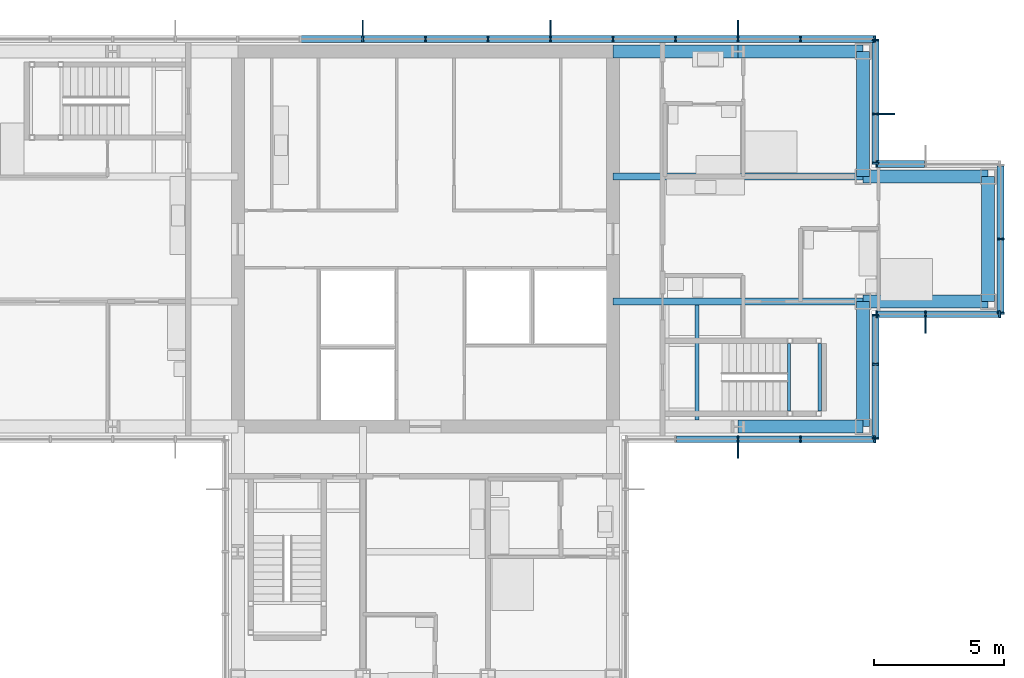
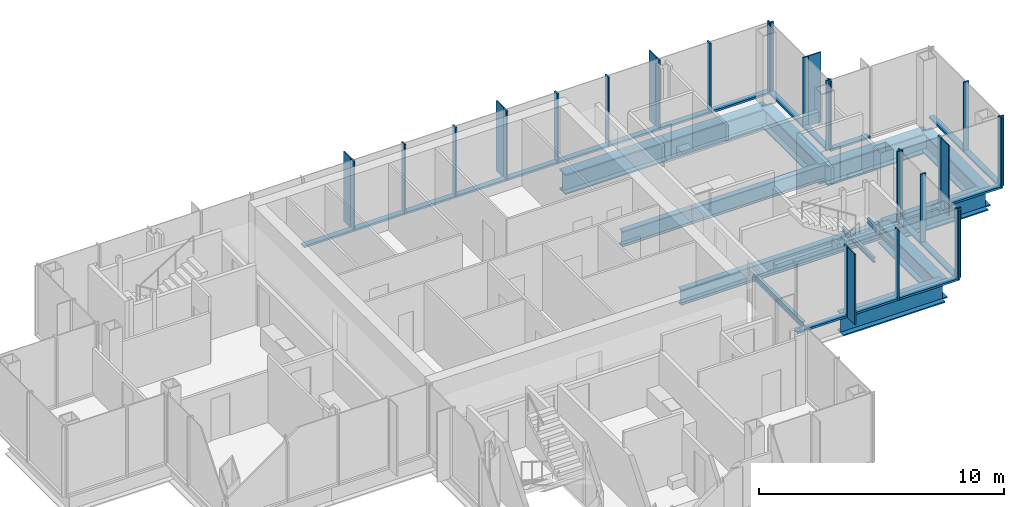
# One storey, part 7 of 15: 51 members, 13 beams, 7 elements without a shape of their own.
"""IFC4 building model written with IfcOpenShell, lengths in metres."""

from ifc_helpers import new_model, si_unit, direction, frame, origin, origin_2d, place, context, subcontext, project, spatial, rectangle, i_section, extrude, material, material_profile, profile_set, type_object, element, aggregate, save


model = new_model("IFC4")

# Units and contexts
model_context = context("Model", 3, precision=1e-05, world=origin(), true_north=direction((0.0, 1.0)))
body_context = subcontext(model_context, "Body", "Model", "MODEL_VIEW")
ifc_project = project(units=[si_unit("LENGTHUNIT", "METRE"), si_unit("AREAUNIT", "SQUARE_METRE"), si_unit("VOLUMEUNIT", "CUBIC_METRE"), si_unit("PLANEANGLEUNIT", "RADIAN"), si_unit("MASSUNIT", "GRAM", prefix="KILO")], contexts=[model_context])

# Site, building, storey
site_placement = place(None, origin())
site = spatial("IfcSite", under=ifc_project, at=site_placement, CompositionType="ELEMENT")
building_placement = place(site_placement, origin())
building = spatial("IfcBuilding", under=site, at=building_placement, Name="Kvirike Care Tower", CompositionType="ELEMENT")
storey_placement = place(building_placement, frame((0.0, 0.0, 222.5)))
storey = spatial("IfcBuildingStorey", under=building, at=storey_placement, Name="L61", CompositionType="ELEMENT", Elevation=222.5)

# Curtain wall, member
ifc_material_1 = material(Name="Anodised aluminium stick system", Category="aluminium")
curtain_wall_type = type_object("IfcCurtainWallType", Name="CW-D STICK CURTAIN WALL", PredefinedType="NOTDEFINED", material=ifc_material_1)
curtain_wall_1_placement = place(storey_placement, origin())
curtain_wall_1 = element("IfcCurtainWall", 1, at=curtain_wall_1_placement, inside=storey, type_object=curtain_wall_type, Name="Curtain wall L61 face 1", PredefinedType="NOTDEFINED")
ifc_material_2 = material(Name="Bronze anodised aluminium fin", Category="aluminium")
ifc_material_profile_1 = material_profile(ifc_material_2, rectangle(XDim=0.050048828125, YDim=0.60009765625, at=origin_2d()), Name="BRONZE FIN 600")
ifc_profile_set_1 = profile_set([ifc_material_profile_1], Name="Bronze anodised aluminium fin")
member_type_1 = type_object("IfcMemberType", Name="BRONZE FIN 600", PredefinedType="USERDEFINED", material=ifc_profile_set_1)
member_1_placement = place(storey_placement, frame((33.60009765625, 27.889892578125, 0.0), z_axis=(0.0, 0.0, 1.0), x_axis=(1.0, 0.0, 0.0)))
member_1 = element("IfcMember", 2, at=member_1_placement, type_object=member_type_1, Name="Bronze fin L61 face 1.3", ObjectType="FIN", PredefinedType="USERDEFINED", context=body_context, shape_type="SweptSolid", body=[
    extrude(rectangle(XDim=0.050048828125, YDim=0.60009765625, at=origin_2d()), origin(), (0.0, 0.0, 1.0), 3.5),
])

curtain_wall_2_placement = place(storey_placement, origin())
curtain_wall_2 = element("IfcCurtainWall", 3, at=curtain_wall_2_placement, inside=storey, type_object=curtain_wall_type, Name="Curtain wall L61 face 3", PredefinedType="NOTDEFINED")
member_2_placement = place(storey_placement, frame((40.800048828125, 32.68994140625, 0.0), z_axis=(0.0, 0.0, 1.0), x_axis=(1.0, 0.0, 0.0)))
member_2 = element("IfcMember", 4, at=member_2_placement, type_object=member_type_1, Name="Bronze fin L61 face 3.2", ObjectType="FIN", PredefinedType="USERDEFINED", context=body_context, shape_type="SweptSolid", body=[
    extrude(rectangle(XDim=0.050048828125, YDim=0.60009765625, at=origin_2d()), origin(), (0.0, 0.0, 1.0), 3.5),
])

curtain_wall_3_placement = place(storey_placement, origin())
curtain_wall_3 = element("IfcCurtainWall", 5, at=curtain_wall_3_placement, inside=storey, type_object=curtain_wall_type, Name="Curtain wall L61 face 6", PredefinedType="NOTDEFINED")
member_3_placement = place(storey_placement, frame((39.31005859375, 40.800048828125, 0.0), z_axis=(0.0, 0.0, 1.0), x_axis=(0.0, 1.0, 0.0)))
member_3 = element("IfcMember", 6, at=member_3_placement, type_object=member_type_1, Name="Bronze fin L61 face 6.2", ObjectType="FIN", PredefinedType="USERDEFINED", context=body_context, shape_type="SweptSolid", body=[
    extrude(rectangle(XDim=0.050048828125, YDim=0.60009765625, at=origin_2d()), origin(), (0.0, 0.0, 1.0), 3.5),
])

# Curtain wall, members
curtain_wall_4_placement = place(storey_placement, origin())
curtain_wall_4 = element("IfcCurtainWall", 7, at=curtain_wall_4_placement, inside=storey, type_object=curtain_wall_type, Name="Curtain wall L61 face 7", PredefinedType="NOTDEFINED")
member_4_placement = place(storey_placement, frame((33.60009765625, 44.110107421875, 0.0), z_axis=(0.0, 0.0, 1.0), x_axis=(-1.0, 0.0, 0.0)))
member_4 = element("IfcMember", 8, at=member_4_placement, type_object=member_type_1, Name="Bronze fin L61 face 7.3", ObjectType="FIN", PredefinedType="USERDEFINED", context=body_context, shape_type="SweptSolid", body=[
    extrude(rectangle(XDim=0.050048828125, YDim=0.60009765625, at=origin_2d()), origin(), (0.0, 0.0, 1.0), 3.5),
])
member_5_placement = place(storey_placement, frame((26.39990234375, 44.110107421875, 0.0), z_axis=(0.0, 0.0, 1.0), x_axis=(-1.0, 0.0, 0.0)))
member_5 = element("IfcMember", 9, at=member_5_placement, type_object=member_type_1, Name="Bronze fin L61 face 7.6", ObjectType="FIN", PredefinedType="USERDEFINED", context=body_context, shape_type="SweptSolid", body=[
    extrude(rectangle(XDim=0.050048828125, YDim=0.60009765625, at=origin_2d()), origin(), (0.0, 0.0, 1.0), 3.5),
])
member_6_placement = place(storey_placement, frame((19.199951171875, 44.110107421875, 0.0), z_axis=(0.0, 0.0, 1.0), x_axis=(-1.0, 0.0, 0.0)))
member_6 = element("IfcMember", 10, at=member_6_placement, type_object=member_type_1, Name="Bronze fin L61 face 7.9", ObjectType="FIN", PredefinedType="USERDEFINED", context=body_context, shape_type="SweptSolid", body=[
    extrude(rectangle(XDim=0.050048828125, YDim=0.60009765625, at=origin_2d()), origin(), (0.0, 0.0, 1.0), 3.5),
])

# Member
ifc_material_3 = material(Name="Bronze anodised aluminium mullion", Category="aluminium")
ifc_material_profile_2 = material_profile(ifc_material_3, rectangle(XDim=0.06494140625, YDim=0.260009765625, at=origin_2d()), Name="CW-D MULLION 65x260")
ifc_profile_set_2 = profile_set([ifc_material_profile_2], Name="Bronze anodised aluminium mullion")
member_type_2 = type_object("IfcMemberType", Name="CW-D MULLION 65x260", PredefinedType="MULLION", material=ifc_profile_set_2)
member_7_placement = place(storey_placement, frame((33.60009765625, 28.320068359375, 0.0), z_axis=(0.0, 0.0, 1.0), x_axis=(1.0, 0.0, 0.0)))
member_7 = element("IfcMember", 11, at=member_7_placement, type_object=member_type_2, Name="CW-D mullion L61 face 1.3", PredefinedType="MULLION", context=body_context, shape_type="SweptSolid", body=[
    extrude(rectangle(XDim=0.06494140625, YDim=0.260009765625, at=origin_2d()), origin(), (0.0, 0.0, 1.0), 3.5),
])

member_8_placement = place(storey_placement, frame((36.0, 28.320068359375, 0.0), z_axis=(0.0, 0.0, 1.0), x_axis=(1.0, 0.0, 0.0)))
member_8 = element("IfcMember", 12, at=member_8_placement, type_object=member_type_2, Name="CW-D mullion L61 face 1.4", PredefinedType="MULLION", context=body_context, shape_type="SweptSolid", body=[
    extrude(rectangle(XDim=0.06494140625, YDim=0.260009765625, at=origin_2d()), origin(), (0.0, 0.0, 1.0), 3.5),
])

member_9_placement = place(storey_placement, frame((38.847412109375, 28.320068359375, 0.0), z_axis=(0.0, 0.0, 1.0), x_axis=(1.0, 0.0, 0.0)))
member_9 = element("IfcMember", 13, at=member_9_placement, type_object=member_type_2, Name="CW-D mullion L61 face 1.5", PredefinedType="MULLION", context=body_context, shape_type="SweptSolid", body=[
    extrude(rectangle(XDim=0.06494140625, YDim=0.260009765625, at=origin_2d()), origin(), (0.0, 0.0, 1.0), 3.5),
])

# Curtain wall, members
curtain_wall_5_placement = place(storey_placement, origin())
curtain_wall_5 = element("IfcCurtainWall", 14, at=curtain_wall_5_placement, inside=storey, type_object=curtain_wall_type, Name="Curtain wall L61 face 2", PredefinedType="NOTDEFINED")
member_10_placement = place(storey_placement, frame((38.8798828125, 28.3525390625, 0.0), z_axis=(0.0, 0.0, 1.0), x_axis=(0.0, 1.0, 0.0)))
member_10 = element("IfcMember", 15, at=member_10_placement, type_object=member_type_2, Name="CW-D mullion L61 face 2.1", PredefinedType="MULLION", context=body_context, shape_type="SweptSolid", body=[
    extrude(rectangle(XDim=0.06494140625, YDim=0.260009765625, at=origin_2d()), origin(), (0.0, 0.0, 1.0), 3.5),
])
member_11_placement = place(storey_placement, frame((38.8798828125, 31.199951171875, 0.0), z_axis=(0.0, 0.0, 1.0), x_axis=(0.0, 1.0, 0.0)))
member_11 = element("IfcMember", 16, at=member_11_placement, type_object=member_type_2, Name="CW-D mullion L61 face 2.2", PredefinedType="MULLION", context=body_context, shape_type="SweptSolid", body=[
    extrude(rectangle(XDim=0.06494140625, YDim=0.260009765625, at=origin_2d()), origin(), (0.0, 0.0, 1.0), 3.5),
])
member_12_placement = place(storey_placement, frame((38.8798828125, 33.08740234375, 0.0), z_axis=(0.0, 0.0, 1.0), x_axis=(0.0, 1.0, 0.0)))
member_12 = element("IfcMember", 17, at=member_12_placement, type_object=member_type_2, Name="CW-D mullion L61 face 2.3", PredefinedType="MULLION", context=body_context, shape_type="SweptSolid", body=[
    extrude(rectangle(XDim=0.06494140625, YDim=0.260009765625, at=origin_2d()), origin(), (0.0, 0.0, 1.0), 3.5),
])

# Member
member_13_placement = place(storey_placement, frame((38.91259765625, 33.1201171875, 0.0), z_axis=(0.0, 0.0, 1.0), x_axis=(1.0, 0.0, 0.0)))
member_13 = element("IfcMember", 18, at=member_13_placement, type_object=member_type_2, Name="CW-D mullion L61 face 3.1", PredefinedType="MULLION", context=body_context, shape_type="SweptSolid", body=[
    extrude(rectangle(XDim=0.06494140625, YDim=0.260009765625, at=origin_2d()), origin(), (0.0, 0.0, 1.0), 3.5),
])

member_14_placement = place(storey_placement, frame((40.800048828125, 33.1201171875, 0.0), z_axis=(0.0, 0.0, 1.0), x_axis=(1.0, 0.0, 0.0)))
member_14 = element("IfcMember", 19, at=member_14_placement, type_object=member_type_2, Name="CW-D mullion L61 face 3.2", PredefinedType="MULLION", context=body_context, shape_type="SweptSolid", body=[
    extrude(rectangle(XDim=0.06494140625, YDim=0.260009765625, at=origin_2d()), origin(), (0.0, 0.0, 1.0), 3.5),
])

member_15_placement = place(storey_placement, frame((43.6474609375, 33.1201171875, 0.0), z_axis=(0.0, 0.0, 1.0), x_axis=(1.0, 0.0, 0.0)))
member_15 = element("IfcMember", 20, at=member_15_placement, type_object=member_type_2, Name="CW-D mullion L61 face 3.3", PredefinedType="MULLION", context=body_context, shape_type="SweptSolid", body=[
    extrude(rectangle(XDim=0.06494140625, YDim=0.260009765625, at=origin_2d()), origin(), (0.0, 0.0, 1.0), 3.5),
])

# Curtain wall, members
curtain_wall_6_placement = place(storey_placement, origin())
curtain_wall_6 = element("IfcCurtainWall", 21, at=curtain_wall_6_placement, inside=storey, type_object=curtain_wall_type, Name="Curtain wall L61 face 4", PredefinedType="NOTDEFINED")
member_16_placement = place(storey_placement, frame((43.679931640625, 33.152587890625, 0.0), z_axis=(0.0, 0.0, 1.0), x_axis=(0.0, 1.0, 0.0)))
member_16 = element("IfcMember", 22, at=member_16_placement, type_object=member_type_2, Name="CW-D mullion L61 face 4.1", PredefinedType="MULLION", context=body_context, shape_type="SweptSolid", body=[
    extrude(rectangle(XDim=0.06494140625, YDim=0.260009765625, at=origin_2d()), origin(), (0.0, 0.0, 1.0), 3.5),
])
member_17_placement = place(storey_placement, frame((43.679931640625, 36.0, 0.0), z_axis=(0.0, 0.0, 1.0), x_axis=(0.0, 1.0, 0.0)))
member_17 = element("IfcMember", 23, at=member_17_placement, type_object=member_type_2, Name="CW-D mullion L61 face 4.2", PredefinedType="MULLION", context=body_context, shape_type="SweptSolid", body=[
    extrude(rectangle(XDim=0.06494140625, YDim=0.260009765625, at=origin_2d()), origin(), (0.0, 0.0, 1.0), 3.5),
])

# Curtain wall, member
curtain_wall_7_placement = place(storey_placement, origin())
curtain_wall_7 = element("IfcCurtainWall", 24, at=curtain_wall_7_placement, inside=storey, type_object=curtain_wall_type, Name="Curtain wall L61 face 5", PredefinedType="NOTDEFINED")
member_18_placement = place(storey_placement, frame((38.91259765625, 38.8798828125, 0.0), z_axis=(0.0, 0.0, 1.0), x_axis=(-1.0, 0.0, 0.0)))
member_18 = element("IfcMember", 25, at=member_18_placement, type_object=member_type_2, Name="CW-D mullion L61 face 5.3", PredefinedType="MULLION", context=body_context, shape_type="SweptSolid", body=[
    extrude(rectangle(XDim=0.06494140625, YDim=0.260009765625, at=origin_2d()), origin(), (0.0, 0.0, 1.0), 3.5),
])

# Member
member_19_placement = place(storey_placement, frame((38.8798828125, 38.91259765625, 0.0), z_axis=(0.0, 0.0, 1.0), x_axis=(0.0, 1.0, 0.0)))
member_19 = element("IfcMember", 26, at=member_19_placement, type_object=member_type_2, Name="CW-D mullion L61 face 6.1", PredefinedType="MULLION", context=body_context, shape_type="SweptSolid", body=[
    extrude(rectangle(XDim=0.06494140625, YDim=0.260009765625, at=origin_2d()), origin(), (0.0, 0.0, 1.0), 3.5),
])

member_20_placement = place(storey_placement, frame((38.8798828125, 40.800048828125, 0.0), z_axis=(0.0, 0.0, 1.0), x_axis=(0.0, 1.0, 0.0)))
member_20 = element("IfcMember", 27, at=member_20_placement, type_object=member_type_2, Name="CW-D mullion L61 face 6.2", PredefinedType="MULLION", context=body_context, shape_type="SweptSolid", body=[
    extrude(rectangle(XDim=0.06494140625, YDim=0.260009765625, at=origin_2d()), origin(), (0.0, 0.0, 1.0), 3.5),
])

member_21_placement = place(storey_placement, frame((38.8798828125, 43.6474609375, 0.0), z_axis=(0.0, 0.0, 1.0), x_axis=(0.0, 1.0, 0.0)))
member_21 = element("IfcMember", 28, at=member_21_placement, type_object=member_type_2, Name="CW-D mullion L61 face 6.3", PredefinedType="MULLION", context=body_context, shape_type="SweptSolid", body=[
    extrude(rectangle(XDim=0.06494140625, YDim=0.260009765625, at=origin_2d()), origin(), (0.0, 0.0, 1.0), 3.5),
])

member_22_placement = place(storey_placement, frame((38.847412109375, 43.679931640625, 0.0), z_axis=(0.0, 0.0, 1.0), x_axis=(-1.0, 0.0, 0.0)))
member_22 = element("IfcMember", 29, at=member_22_placement, type_object=member_type_2, Name="CW-D mullion L61 face 7.1", PredefinedType="MULLION", context=body_context, shape_type="SweptSolid", body=[
    extrude(rectangle(XDim=0.06494140625, YDim=0.260009765625, at=origin_2d()), origin(), (0.0, 0.0, 1.0), 3.5),
])

member_23_placement = place(storey_placement, frame((36.0, 43.679931640625, 0.0), z_axis=(0.0, 0.0, 1.0), x_axis=(-1.0, 0.0, 0.0)))
member_23 = element("IfcMember", 30, at=member_23_placement, type_object=member_type_2, Name="CW-D mullion L61 face 7.2", PredefinedType="MULLION", context=body_context, shape_type="SweptSolid", body=[
    extrude(rectangle(XDim=0.06494140625, YDim=0.260009765625, at=origin_2d()), origin(), (0.0, 0.0, 1.0), 3.5),
])

member_24_placement = place(storey_placement, frame((33.60009765625, 43.679931640625, 0.0), z_axis=(0.0, 0.0, 1.0), x_axis=(-1.0, 0.0, 0.0)))
member_24 = element("IfcMember", 31, at=member_24_placement, type_object=member_type_2, Name="CW-D mullion L61 face 7.3", PredefinedType="MULLION", context=body_context, shape_type="SweptSolid", body=[
    extrude(rectangle(XDim=0.06494140625, YDim=0.260009765625, at=origin_2d()), origin(), (0.0, 0.0, 1.0), 3.5),
])

member_25_placement = place(storey_placement, frame((31.199951171875, 43.679931640625, 0.0), z_axis=(0.0, 0.0, 1.0), x_axis=(-1.0, 0.0, 0.0)))
member_25 = element("IfcMember", 32, at=member_25_placement, type_object=member_type_2, Name="CW-D mullion L61 face 7.4", PredefinedType="MULLION", context=body_context, shape_type="SweptSolid", body=[
    extrude(rectangle(XDim=0.06494140625, YDim=0.260009765625, at=origin_2d()), origin(), (0.0, 0.0, 1.0), 3.5),
])

member_26_placement = place(storey_placement, frame((28.800048828125, 43.679931640625, 0.0), z_axis=(0.0, 0.0, 1.0), x_axis=(-1.0, 0.0, 0.0)))
member_26 = element("IfcMember", 33, at=member_26_placement, type_object=member_type_2, Name="CW-D mullion L61 face 7.5", PredefinedType="MULLION", context=body_context, shape_type="SweptSolid", body=[
    extrude(rectangle(XDim=0.06494140625, YDim=0.260009765625, at=origin_2d()), origin(), (0.0, 0.0, 1.0), 3.5),
])

member_27_placement = place(storey_placement, frame((26.39990234375, 43.679931640625, 0.0), z_axis=(0.0, 0.0, 1.0), x_axis=(-1.0, 0.0, 0.0)))
member_27 = element("IfcMember", 34, at=member_27_placement, type_object=member_type_2, Name="CW-D mullion L61 face 7.6", PredefinedType="MULLION", context=body_context, shape_type="SweptSolid", body=[
    extrude(rectangle(XDim=0.06494140625, YDim=0.260009765625, at=origin_2d()), origin(), (0.0, 0.0, 1.0), 3.5),
])

member_28_placement = place(storey_placement, frame((24.0, 43.679931640625, 0.0), z_axis=(0.0, 0.0, 1.0), x_axis=(-1.0, 0.0, 0.0)))
member_28 = element("IfcMember", 35, at=member_28_placement, type_object=member_type_2, Name="CW-D mullion L61 face 7.7", PredefinedType="MULLION", context=body_context, shape_type="SweptSolid", body=[
    extrude(rectangle(XDim=0.06494140625, YDim=0.260009765625, at=origin_2d()), origin(), (0.0, 0.0, 1.0), 3.5),
])

member_29_placement = place(storey_placement, frame((21.60009765625, 43.679931640625, 0.0), z_axis=(0.0, 0.0, 1.0), x_axis=(-1.0, 0.0, 0.0)))
member_29 = element("IfcMember", 36, at=member_29_placement, type_object=member_type_2, Name="CW-D mullion L61 face 7.8", PredefinedType="MULLION", context=body_context, shape_type="SweptSolid", body=[
    extrude(rectangle(XDim=0.06494140625, YDim=0.260009765625, at=origin_2d()), origin(), (0.0, 0.0, 1.0), 3.5),
])

member_30_placement = place(storey_placement, frame((19.199951171875, 43.679931640625, 0.0), z_axis=(0.0, 0.0, 1.0), x_axis=(-1.0, 0.0, 0.0)))
member_30 = element("IfcMember", 37, at=member_30_placement, type_object=member_type_2, Name="CW-D mullion L61 face 7.9", PredefinedType="MULLION", context=body_context, shape_type="SweptSolid", body=[
    extrude(rectangle(XDim=0.06494140625, YDim=0.260009765625, at=origin_2d()), origin(), (0.0, 0.0, 1.0), 3.5),
])

ifc_material_4 = material(Name="Bronze anodised aluminium transom", Category="aluminium")
ifc_material_profile_3 = material_profile(ifc_material_4, rectangle(XDim=0.260009765625, YDim=0.10009765625, at=origin_2d()), Name="CW-D TRANSOM 260x100")
ifc_profile_set_3 = profile_set([ifc_material_profile_3], Name="Bronze anodised aluminium transom")
member_type_3 = type_object("IfcMemberType", Name="CW-D TRANSOM 260x100", PredefinedType="USERDEFINED", material=ifc_profile_set_3)
member_31_placement = place(storey_placement, frame((31.232421875, 28.320068359375, 0.050048828125), z_axis=(1.0, 0.0, 0.0), x_axis=(0.0, 1.0, 0.0)))
member_31 = element("IfcMember", 38, at=member_31_placement, type_object=member_type_3, Name="CW-D sill transom L61 face 1.2", ObjectType="TRANSOM", PredefinedType="USERDEFINED", context=body_context, shape_type="SweptSolid", body=[
    extrude(rectangle(XDim=0.260009765625, YDim=0.10009765625, at=origin_2d()), origin(), (0.0, 0.0, 1.0), 2.3349609375),
])

member_32_placement = place(storey_placement, frame((33.632568359375, 28.320068359375, 0.050048828125), z_axis=(1.0, 0.0, 0.0), x_axis=(0.0, 1.0, 0.0)))
member_32 = element("IfcMember", 39, at=member_32_placement, type_object=member_type_3, Name="CW-D sill transom L61 face 1.3", ObjectType="TRANSOM", PredefinedType="USERDEFINED", context=body_context, shape_type="SweptSolid", body=[
    extrude(rectangle(XDim=0.260009765625, YDim=0.10009765625, at=origin_2d()), origin(), (0.0, 0.0, 1.0), 2.3349609375),
])

member_33_placement = place(storey_placement, frame((36.032470703125, 28.320068359375, 0.050048828125), z_axis=(1.0, 0.0, 0.0), x_axis=(0.0, 1.0, 0.0)))
member_33 = element("IfcMember", 40, at=member_33_placement, type_object=member_type_3, Name="CW-D sill transom L61 face 1.4", ObjectType="TRANSOM", PredefinedType="USERDEFINED", context=body_context, shape_type="SweptSolid", body=[
    extrude(rectangle(XDim=0.260009765625, YDim=0.10009765625, at=origin_2d()), origin(), (0.0, 0.0, 1.0), 2.782470703125),
])

aggregate(curtain_wall_1, [member_7, member_1, member_8, member_9, member_31, member_32, member_33])

member_34_placement = place(storey_placement, frame((38.8798828125, 28.385009765625, 0.050048828125), z_axis=(0.0, 1.0, 0.0), x_axis=(-1.0, 0.0, 0.0)))
member_34 = element("IfcMember", 41, at=member_34_placement, type_object=member_type_3, Name="CW-D sill transom L61 face 2.1", ObjectType="TRANSOM", PredefinedType="USERDEFINED", context=body_context, shape_type="SweptSolid", body=[
    extrude(rectangle(XDim=0.260009765625, YDim=0.10009765625, at=origin_2d()), origin(), (0.0, 0.0, 1.0), 2.782470703125),
])

member_35_placement = place(storey_placement, frame((38.8798828125, 31.232421875, 0.050048828125), z_axis=(0.0, 1.0, 0.0), x_axis=(-1.0, 0.0, 0.0)))
member_35 = element("IfcMember", 42, at=member_35_placement, type_object=member_type_3, Name="CW-D sill transom L61 face 2.2", ObjectType="TRANSOM", PredefinedType="USERDEFINED", context=body_context, shape_type="SweptSolid", body=[
    extrude(rectangle(XDim=0.260009765625, YDim=0.10009765625, at=origin_2d()), origin(), (0.0, 0.0, 1.0), 1.822509765625),
])

aggregate(curtain_wall_5, [member_10, member_11, member_12, member_34, member_35])

member_36_placement = place(storey_placement, frame((38.945068359375, 33.1201171875, 0.050048828125), z_axis=(1.0, 0.0, 0.0), x_axis=(0.0, 1.0, 0.0)))
member_36 = element("IfcMember", 43, at=member_36_placement, type_object=member_type_3, Name="CW-D sill transom L61 face 3.1", ObjectType="TRANSOM", PredefinedType="USERDEFINED", context=body_context, shape_type="SweptSolid", body=[
    extrude(rectangle(XDim=0.260009765625, YDim=0.10009765625, at=origin_2d()), origin(), (0.0, 0.0, 1.0), 1.822509765625),
])

member_37_placement = place(storey_placement, frame((40.83251953125, 33.1201171875, 0.050048828125), z_axis=(1.0, 0.0, 0.0), x_axis=(0.0, 1.0, 0.0)))
member_37 = element("IfcMember", 44, at=member_37_placement, type_object=member_type_3, Name="CW-D sill transom L61 face 3.2", ObjectType="TRANSOM", PredefinedType="USERDEFINED", context=body_context, shape_type="SweptSolid", body=[
    extrude(rectangle(XDim=0.260009765625, YDim=0.10009765625, at=origin_2d()), origin(), (0.0, 0.0, 1.0), 2.782470703125),
])

aggregate(curtain_wall_2, [member_13, member_14, member_2, member_15, member_36, member_37])

member_38_placement = place(storey_placement, frame((43.679931640625, 33.18505859375, 0.050048828125), z_axis=(0.0, 1.0, 0.0), x_axis=(-1.0, 0.0, 0.0)))
member_38 = element("IfcMember", 45, at=member_38_placement, type_object=member_type_3, Name="CW-D sill transom L61 face 4.1", ObjectType="TRANSOM", PredefinedType="USERDEFINED", context=body_context, shape_type="SweptSolid", body=[
    extrude(rectangle(XDim=0.260009765625, YDim=0.10009765625, at=origin_2d()), origin(), (0.0, 0.0, 1.0), 2.782470703125),
])

member_39_placement = place(storey_placement, frame((43.679931640625, 36.032470703125, 0.050048828125), z_axis=(0.0, 1.0, 0.0), x_axis=(-1.0, 0.0, 0.0)))
member_39 = element("IfcMember", 46, at=member_39_placement, type_object=member_type_3, Name="CW-D sill transom L61 face 4.2", ObjectType="TRANSOM", PredefinedType="USERDEFINED", context=body_context, shape_type="SweptSolid", body=[
    extrude(rectangle(XDim=0.260009765625, YDim=0.10009765625, at=origin_2d()), origin(), (0.0, 0.0, 1.0), 2.782470703125),
])

aggregate(curtain_wall_6, [member_16, member_17, member_38, member_39])

member_40_placement = place(storey_placement, frame((40.767578125, 38.8798828125, 0.050048828125), z_axis=(-1.0, 0.0, 0.0), x_axis=(0.0, -1.0, 0.0)))
member_40 = element("IfcMember", 47, at=member_40_placement, type_object=member_type_3, Name="CW-D sill transom L61 face 5.2", ObjectType="TRANSOM", PredefinedType="USERDEFINED", context=body_context, shape_type="SweptSolid", body=[
    extrude(rectangle(XDim=0.260009765625, YDim=0.10009765625, at=origin_2d()), origin(), (0.0, 0.0, 1.0), 1.822509765625),
])

aggregate(curtain_wall_7, [member_18, member_40])

member_41_placement = place(storey_placement, frame((38.8798828125, 38.945068359375, 0.050048828125), z_axis=(0.0, 1.0, 0.0), x_axis=(-1.0, 0.0, 0.0)))
member_41 = element("IfcMember", 48, at=member_41_placement, type_object=member_type_3, Name="CW-D sill transom L61 face 6.1", ObjectType="TRANSOM", PredefinedType="USERDEFINED", context=body_context, shape_type="SweptSolid", body=[
    extrude(rectangle(XDim=0.260009765625, YDim=0.10009765625, at=origin_2d()), origin(), (0.0, 0.0, 1.0), 1.822509765625),
])

member_42_placement = place(storey_placement, frame((38.8798828125, 40.83251953125, 0.050048828125), z_axis=(0.0, 1.0, 0.0), x_axis=(-1.0, 0.0, 0.0)))
member_42 = element("IfcMember", 49, at=member_42_placement, type_object=member_type_3, Name="CW-D sill transom L61 face 6.2", ObjectType="TRANSOM", PredefinedType="USERDEFINED", context=body_context, shape_type="SweptSolid", body=[
    extrude(rectangle(XDim=0.260009765625, YDim=0.10009765625, at=origin_2d()), origin(), (0.0, 0.0, 1.0), 2.782470703125),
])

aggregate(curtain_wall_3, [member_19, member_20, member_3, member_21, member_41, member_42])

member_43_placement = place(storey_placement, frame((38.81494140625, 43.679931640625, 0.050048828125), z_axis=(-1.0, 0.0, 0.0), x_axis=(0.0, -1.0, 0.0)))
member_43 = element("IfcMember", 50, at=member_43_placement, type_object=member_type_3, Name="CW-D sill transom L61 face 7.1", ObjectType="TRANSOM", PredefinedType="USERDEFINED", context=body_context, shape_type="SweptSolid", body=[
    extrude(rectangle(XDim=0.260009765625, YDim=0.10009765625, at=origin_2d()), origin(), (0.0, 0.0, 1.0), 2.782470703125),
])

member_44_placement = place(storey_placement, frame((35.967529296875, 43.679931640625, 0.050048828125), z_axis=(-1.0, 0.0, 0.0), x_axis=(0.0, -1.0, 0.0)))
member_44 = element("IfcMember", 51, at=member_44_placement, type_object=member_type_3, Name="CW-D sill transom L61 face 7.2", ObjectType="TRANSOM", PredefinedType="USERDEFINED", context=body_context, shape_type="SweptSolid", body=[
    extrude(rectangle(XDim=0.260009765625, YDim=0.10009765625, at=origin_2d()), origin(), (0.0, 0.0, 1.0), 2.3349609375),
])

member_45_placement = place(storey_placement, frame((33.5673828125, 43.679931640625, 0.050048828125), z_axis=(-1.0, 0.0, 0.0), x_axis=(0.0, -1.0, 0.0)))
member_45 = element("IfcMember", 52, at=member_45_placement, type_object=member_type_3, Name="CW-D sill transom L61 face 7.3", ObjectType="TRANSOM", PredefinedType="USERDEFINED", context=body_context, shape_type="SweptSolid", body=[
    extrude(rectangle(XDim=0.260009765625, YDim=0.10009765625, at=origin_2d()), origin(), (0.0, 0.0, 1.0), 2.3349609375),
])

member_46_placement = place(storey_placement, frame((31.16748046875, 43.679931640625, 0.050048828125), z_axis=(-1.0, 0.0, 0.0), x_axis=(0.0, -1.0, 0.0)))
member_46 = element("IfcMember", 53, at=member_46_placement, type_object=member_type_3, Name="CW-D sill transom L61 face 7.4", ObjectType="TRANSOM", PredefinedType="USERDEFINED", context=body_context, shape_type="SweptSolid", body=[
    extrude(rectangle(XDim=0.260009765625, YDim=0.10009765625, at=origin_2d()), origin(), (0.0, 0.0, 1.0), 2.3349609375),
])

member_47_placement = place(storey_placement, frame((28.767578125, 43.679931640625, 0.050048828125), z_axis=(-1.0, 0.0, 0.0), x_axis=(0.0, -1.0, 0.0)))
member_47 = element("IfcMember", 54, at=member_47_placement, type_object=member_type_3, Name="CW-D sill transom L61 face 7.5", ObjectType="TRANSOM", PredefinedType="USERDEFINED", context=body_context, shape_type="SweptSolid", body=[
    extrude(rectangle(XDim=0.260009765625, YDim=0.10009765625, at=origin_2d()), origin(), (0.0, 0.0, 1.0), 2.3349609375),
])

member_48_placement = place(storey_placement, frame((26.367431640625, 43.679931640625, 0.050048828125), z_axis=(-1.0, 0.0, 0.0), x_axis=(0.0, -1.0, 0.0)))
member_48 = element("IfcMember", 55, at=member_48_placement, type_object=member_type_3, Name="CW-D sill transom L61 face 7.6", ObjectType="TRANSOM", PredefinedType="USERDEFINED", context=body_context, shape_type="SweptSolid", body=[
    extrude(rectangle(XDim=0.260009765625, YDim=0.10009765625, at=origin_2d()), origin(), (0.0, 0.0, 1.0), 2.3349609375),
])

member_49_placement = place(storey_placement, frame((23.967529296875, 43.679931640625, 0.050048828125), z_axis=(-1.0, 0.0, 0.0), x_axis=(0.0, -1.0, 0.0)))
member_49 = element("IfcMember", 56, at=member_49_placement, type_object=member_type_3, Name="CW-D sill transom L61 face 7.7", ObjectType="TRANSOM", PredefinedType="USERDEFINED", context=body_context, shape_type="SweptSolid", body=[
    extrude(rectangle(XDim=0.260009765625, YDim=0.10009765625, at=origin_2d()), origin(), (0.0, 0.0, 1.0), 2.3349609375),
])

member_50_placement = place(storey_placement, frame((21.5673828125, 43.679931640625, 0.050048828125), z_axis=(-1.0, 0.0, 0.0), x_axis=(0.0, -1.0, 0.0)))
member_50 = element("IfcMember", 57, at=member_50_placement, type_object=member_type_3, Name="CW-D sill transom L61 face 7.8", ObjectType="TRANSOM", PredefinedType="USERDEFINED", context=body_context, shape_type="SweptSolid", body=[
    extrude(rectangle(XDim=0.260009765625, YDim=0.10009765625, at=origin_2d()), origin(), (0.0, 0.0, 1.0), 2.3349609375),
])

member_51_placement = place(storey_placement, frame((19.16748046875, 43.679931640625, 0.050048828125), z_axis=(-1.0, 0.0, 0.0), x_axis=(0.0, -1.0, 0.0)))
member_51 = element("IfcMember", 58, at=member_51_placement, type_object=member_type_3, Name="CW-D sill transom L61 face 7.9", ObjectType="TRANSOM", PredefinedType="USERDEFINED", context=body_context, shape_type="SweptSolid", body=[
    extrude(rectangle(XDim=0.260009765625, YDim=0.10009765625, at=origin_2d()), origin(), (0.0, 0.0, 1.0), 2.3349609375),
])

aggregate(curtain_wall_4, [member_22, member_23, member_24, member_4, member_25, member_26, member_27, member_5, member_28, member_29, member_30, member_6, member_43, member_44, member_45, member_46, member_47, member_48, member_49, member_50, member_51])

# Beams
ifc_material_5 = material(Name="Steel S355", Category="steel")
ifc_material_profile_4 = material_profile(ifc_material_5, i_section(OverallWidth=0.26806640625, OverallDepth=0.77001953125, WebThickness=0.015625, FlangeThickness=0.025390625, FilletRadius=0.01708984375, at=origin_2d()), Name="IPE 750x196")
ifc_profile_set_4 = profile_set([ifc_material_profile_4], Name="Steel S355")
beam_type_1 = type_object("IfcBeamType", Name="FLOOR BEAM IPE 750x196", PredefinedType="BEAM", material=ifc_profile_set_4)
for number, where, z_axis, x_axis, name in (
    (59, (28.800048828125, 33.60009765625, -0.554931640625), (1.0, 0.0, 0.0), (0.0, 1.0, 0.0), "Floor Beam H9-H11 L61"),
    (60, (28.800048828125, 38.39990234375, -0.554931640625), (1.0, 0.0, 0.0), (0.0, 1.0, 0.0), "Floor Beam J9-J11 L61"),
):
    element("IfcBeam", number, at=place(storey_placement, frame(where, z_axis=z_axis, x_axis=x_axis)), inside=storey, type_object=beam_type_1, Name=name, PredefinedType="BEAM", context=body_context, shape_type="SweptSolid", body=[
        extrude(i_section(OverallWidth=0.26806640625, OverallDepth=0.77001953125, WebThickness=0.015625, FlangeThickness=0.025390625, FilletRadius=0.01708984375, at=origin_2d()), origin(), (0.0, 0.0, 1.0), 9.599853515625),
    ])
ifc_material_6 = material(Name="Steel S355", Category="steel")
ifc_material_profile_5 = material_profile(ifc_material_6, i_section(OverallWidth=0.5, OverallDepth=1.0, WebThickness=0.030029296875, FlangeThickness=0.06005859375, at=origin_2d()), Name="PG 1000x500x30x60")
ifc_profile_set_5 = profile_set([ifc_material_profile_5], Name="Steel S355")
beam_type_2 = type_object("IfcBeamType", Name="SPANDREL PG 1000x500x30x60", PredefinedType="SPANDREL", material=ifc_profile_set_5)
beam_1_placement = place(storey_placement, frame((33.60009765625, 28.800048828125, -0.669921875), z_axis=(1.0, 0.0, 0.0), x_axis=(0.0, 1.0, 0.0)))
element("IfcBeam", 61, at=beam_1_placement, inside=storey, type_object=beam_type_2, Name="Spandrel G10-G11 L61", PredefinedType="SPANDREL", context=body_context, shape_type="SweptSolid", body=[
    extrude(i_section(OverallWidth=0.5, OverallDepth=1.0, WebThickness=0.030029296875, FlangeThickness=0.06005859375, at=origin_2d()), origin(), (0.0, 0.0, 1.0), 4.7998046875),
])
for number, where, z_axis, x_axis, name in (
    (62, (38.39990234375, 33.60009765625, -0.669921875), (1.0, 0.0, 0.0), (0.0, 1.0, 0.0), "Spandrel H11-H12 L61"),
    (63, (38.39990234375, 38.39990234375, -0.669921875), (1.0, 0.0, 0.0), (0.0, 1.0, 0.0), "Spandrel J11-J12 L61"),
    (64, (28.800048828125, 43.199951171875, -0.669921875), (1.0, 0.0, 0.0), (0.0, 1.0, 0.0), "Spandrel K9-K10 L61"),
):
    element("IfcBeam", number, at=place(storey_placement, frame(where, z_axis=z_axis, x_axis=x_axis)), inside=storey, type_object=beam_type_2, Name=name, PredefinedType="SPANDREL", context=body_context, shape_type="SweptSolid", body=[
        extrude(i_section(OverallWidth=0.5, OverallDepth=1.0, WebThickness=0.030029296875, FlangeThickness=0.06005859375, at=origin_2d()), origin(), (0.0, 0.0, 1.0), 4.800048828125),
    ])
beam_2_placement = place(storey_placement, frame((33.60009765625, 43.199951171875, -0.669921875), z_axis=(1.0, 0.0, 0.0), x_axis=(0.0, 1.0, 0.0)))
element("IfcBeam", 65, at=beam_2_placement, inside=storey, type_object=beam_type_2, Name="Spandrel K10-K11 L61", PredefinedType="SPANDREL", context=body_context, shape_type="SweptSolid", body=[
    extrude(i_section(OverallWidth=0.5, OverallDepth=1.0, WebThickness=0.030029296875, FlangeThickness=0.06005859375, at=origin_2d()), origin(), (0.0, 0.0, 1.0), 4.7998046875),
])
for number, where, z_axis, x_axis, name in (
    (66, (38.39990234375, 28.800048828125, -0.669921875), (0.0, 1.0, 0.0), (-1.0, 0.0, 0.0), "Spandrel G11-H11 L61"),
    (67, (38.39990234375, 38.39990234375, -0.669921875), (0.0, 1.0, 0.0), (-1.0, 0.0, 0.0), "Spandrel J11-K11 L61"),
):
    element("IfcBeam", number, at=place(storey_placement, frame(where, z_axis=z_axis, x_axis=x_axis)), inside=storey, type_object=beam_type_2, Name=name, PredefinedType="SPANDREL", context=body_context, shape_type="SweptSolid", body=[
        extrude(i_section(OverallWidth=0.5, OverallDepth=1.0, WebThickness=0.030029296875, FlangeThickness=0.06005859375, at=origin_2d()), origin(), (0.0, 0.0, 1.0), 4.800048828125),
    ])
beam_3_placement = place(storey_placement, frame((43.199951171875, 33.60009765625, -0.669921875), z_axis=(0.0, 1.0, 0.0), x_axis=(-1.0, 0.0, 0.0)))
element("IfcBeam", 68, at=beam_3_placement, inside=storey, type_object=beam_type_2, Name="Spandrel H12-J12 L61", PredefinedType="SPANDREL", context=body_context, shape_type="SweptSolid", body=[
    extrude(i_section(OverallWidth=0.5, OverallDepth=1.0, WebThickness=0.030029296875, FlangeThickness=0.06005859375, at=origin_2d()), origin(), (0.0, 0.0, 1.0), 4.7998046875),
])
ifc_material_7 = material(Name="Steel S355", Category="steel")
ifc_material_profile_6 = material_profile(ifc_material_7, i_section(OverallWidth=0.1201171875, OverallDepth=0.239990234375, WebThickness=0.006103515625, FlangeThickness=0.009765625, FilletRadius=0.014892578125, at=origin_2d()), Name="IPE 240")
ifc_profile_set_6 = profile_set([ifc_material_profile_6], Name="Steel S355")
beam_type_3 = type_object("IfcBeamType", Name="STAIR LANDING BEAM IPE 240", PredefinedType="BEAM", material=ifc_profile_set_6)
for number, where, z_axis, x_axis, name in (
    (69, (36.739990234375, 29.39990234375, 1.429931640625), (0.0, 1.0, 0.0), (-1.0, 0.0, 0.0), "Stair 2 landing beam back L61"),
    (70, (35.56005859375, 29.39990234375, 1.429931640625), (0.0, 1.0, 0.0), (-1.0, 0.0, 0.0), "Stair 2 landing beam front L61"),
):
    element("IfcBeam", number, at=place(storey_placement, frame(where, z_axis=z_axis, x_axis=x_axis)), inside=storey, type_object=beam_type_3, Name=name, PredefinedType="BEAM", context=body_context, shape_type="SweptSolid", body=[
        extrude(i_section(OverallWidth=0.1201171875, OverallDepth=0.239990234375, WebThickness=0.006103515625, FlangeThickness=0.009765625, FilletRadius=0.014892578125, at=origin_2d()), origin(), (0.0, 0.0, 1.0), 2.60009765625),
    ])
ifc_material_8 = material(Name="Steel S355", Category="steel")
ifc_material_profile_7 = material_profile(ifc_material_8, i_section(OverallWidth=0.14990234375, OverallDepth=0.300048828125, WebThickness=0.007080078125, FlangeThickness=0.0107421875, FilletRadius=0.014892578125, at=origin_2d()), Name="IPE 300")
ifc_profile_set_7 = profile_set([ifc_material_profile_7], Name="Steel S355")
beam_type_4 = type_object("IfcBeamType", Name="STAIR TRIMMER IPE 300", PredefinedType="BEAM", material=ifc_profile_set_7)
beam_4_placement = place(storey_placement, frame((32.02490234375, 29.050048828125, -0.35009765625), z_axis=(0.0, 1.0, 0.0), x_axis=(-1.0, 0.0, 0.0)))
element("IfcBeam", 71, at=beam_4_placement, inside=storey, type_object=beam_type_4, Name="Stair 2 trimmer 1 L61", PredefinedType="BEAM", context=body_context, shape_type="SweptSolid", body=[
    extrude(i_section(OverallWidth=0.14990234375, OverallDepth=0.300048828125, WebThickness=0.007080078125, FlangeThickness=0.0107421875, FilletRadius=0.014892578125, at=origin_2d()), origin(), (0.0, 0.0, 1.0), 4.416015625),
])

save(model, "model.ifc")
